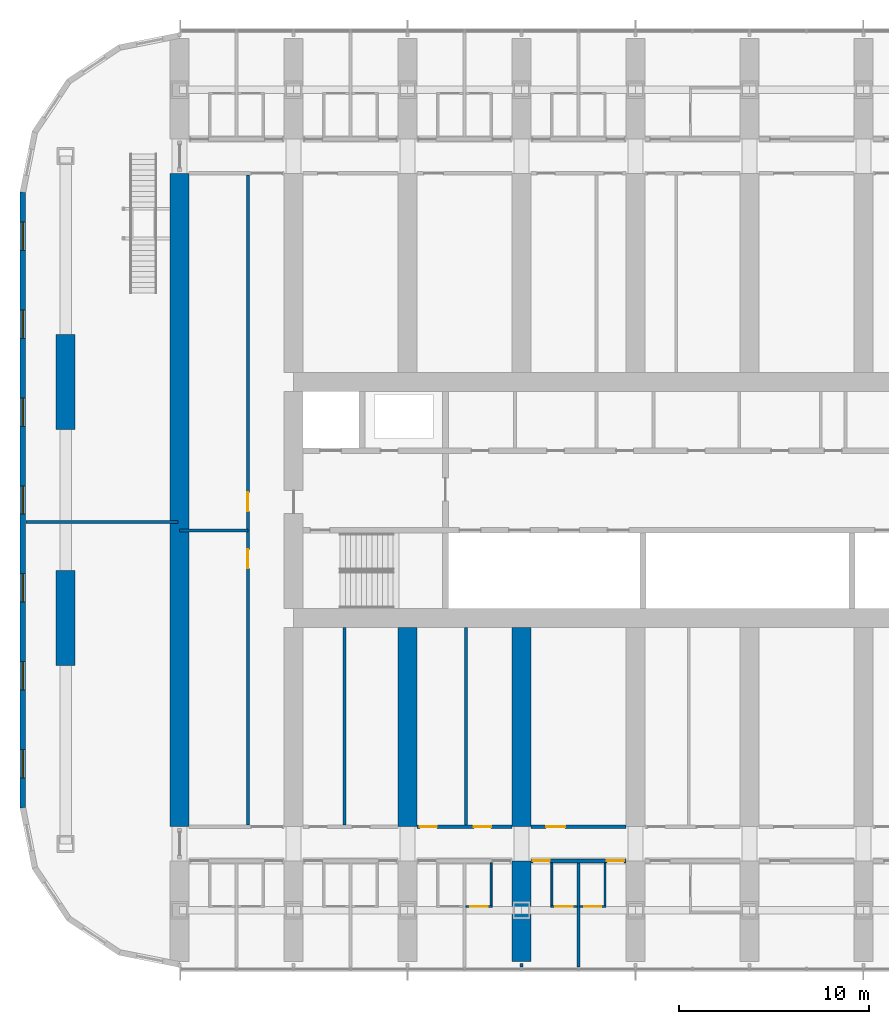
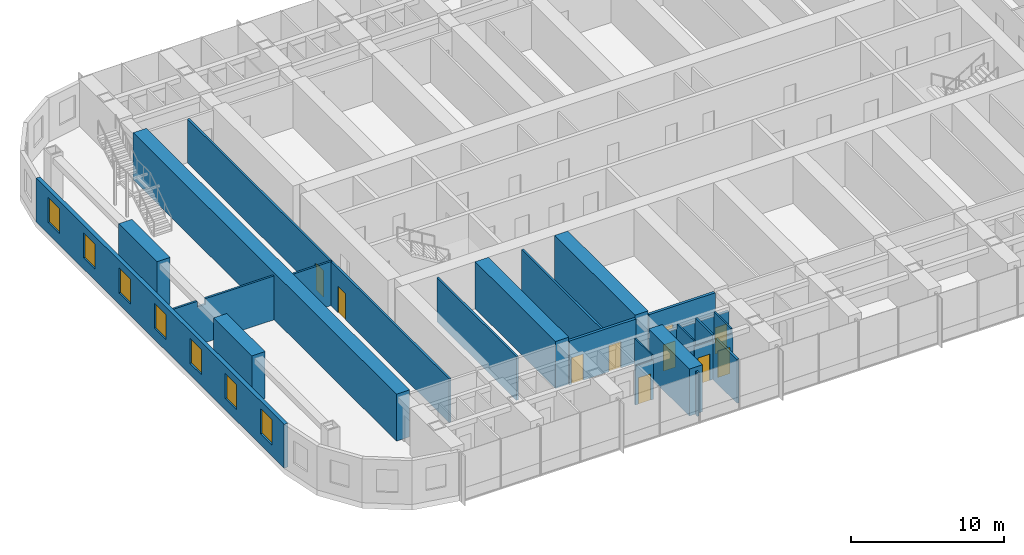
# One storey, part 13 of 28: 23 walls, 10 doors, 7 windows, 17 openings.
"""IFC4 building model written with IfcOpenShell, lengths in metres."""

from ifc_helpers import new_model, si_unit, direction, frame, frame_2d, origin, place, context, subcontext, project, spatial, polyline, rectangle, outline, extrude, material, layer, layer_set, type_object, element, fill, save


model = new_model("IFC4")

# Units and contexts
model_context = context("Model", 3, precision=1e-05, world=origin(), true_north=direction((0.0, 1.0)))
body_context = subcontext(model_context, "Body", "Model", "MODEL_VIEW")
ifc_project = project(units=[si_unit("LENGTHUNIT", "METRE"), si_unit("AREAUNIT", "SQUARE_METRE"), si_unit("VOLUMEUNIT", "CUBIC_METRE"), si_unit("PLANEANGLEUNIT", "RADIAN"), si_unit("MASSUNIT", "GRAM", prefix="KILO")], contexts=[model_context])

# Site, building, storey
site_placement = place(None, origin())
site = spatial("IfcSite", under=ifc_project, at=site_placement, CompositionType="ELEMENT")
building_placement = place(site_placement, origin())
building = spatial("IfcBuilding", under=site, at=building_placement, Name="Orbita Commons", CompositionType="ELEMENT")
storey_placement = place(building_placement, frame((0.0, 0.0, 38.949951171875)))
storey = spatial("IfcBuildingStorey", under=building, at=storey_placement, Name="L09", CompositionType="ELEMENT", Elevation=38.949951171875)

# Wall, openings, doors
ifc_material_1 = material(Name="Concrete blockwork", Category="masonry")
ifc_layer_1 = layer(ifc_material_1, 0.199951171875)
ifc_layer_set_1 = layer_set([ifc_layer_1], Name="Concrete blockwork")
wall_type_1 = type_object("IfcWallType", Name="Corridor wall 200 blockwork", PredefinedType="SOLIDWALL", material=ifc_layer_set_1)
wall_1_placement = place(storey_placement, frame((30.5, 13.0, 0.0), z_axis=(0.0, 0.0, 1.0), x_axis=(1.0, 0.0, 0.0)))
wall_1 = element("IfcWall", 1, at=wall_1_placement, inside=storey, type_object=wall_type_1, Name="Corridor wall 200 blockwork L09", PredefinedType="SOLIDWALL", context=body_context, shape_type="SweptSolid", body=[
    extrude(outline(polyline([(0.0, 0.0), (5.0, 0.0), (5.0, 3.10009765625), (0.0, 3.10009765625), (0.0, 0.0)])), frame((0.0, 0.10009765625, 0.0), z_axis=(0.0, -1.0, 0.0), x_axis=(1.0, 0.0, 0.0)), (0.0, 0.0, 1.0), 0.199951171875),
])
opening_1_placement = place(wall_1_placement, frame((0.10009765625, 0.0, 0.0)))
opening_1 = element("IfcOpeningElement", 2, at=opening_1_placement, cuts=wall_1, Name="Opening D11", PredefinedType="OPENING", context=body_context, shape_type="SweptSolid", body=[
    extrude(rectangle(XDim=0.89990234375, YDim=2.10009765625, at=frame_2d((0.449951171875, 1.050048828125))), frame((0.0, 0.10986328125, 0.0), z_axis=(0.0, -1.0, 0.0), x_axis=(1.0, 0.0, 0.0)), (0.0, 0.0, 1.0), 0.219970703125),
])
opening_2_placement = place(wall_1_placement, frame((4.0, 0.0, 0.0)))
opening_2 = element("IfcOpeningElement", 3, at=opening_2_placement, cuts=wall_1, Name="Opening D11", PredefinedType="OPENING", context=body_context, shape_type="SweptSolid", body=[
    extrude(rectangle(XDim=0.89990234375, YDim=2.10009765625, at=frame_2d((0.449951171875, 1.050048828125))), frame((0.0, 0.10986328125, 0.0), z_axis=(0.0, -1.0, 0.0), x_axis=(1.0, 0.0, 0.0)), (0.0, 0.0, 1.0), 0.219970703125),
])
ifc_material_2 = material(Name="Steel-faced fire door leaf", Category="steel")
door_type_1 = type_object("IfcDoorType", Name="Corridor door 20 min 900x2100", OperationType="SINGLE_SWING_LEFT", PredefinedType="DOOR", material=ifc_material_2)
door_1_placement = place(opening_1_placement, origin())
door_1 = element("IfcDoor", 4, at=door_1_placement, inside=storey, type_object=door_type_1, Name="House bedroom L09-S06 door", OperationType="SINGLE_SWING_LEFT", OverallHeight=2.10009765625, OverallWidth=0.89990234375, PredefinedType="DOOR", context=body_context, shape_type="SweptSolid", body=[
    extrude(rectangle(XDim=0.89990234375, YDim=2.10009765625, at=frame_2d((0.449951171875, 1.050048828125))), frame((0.0, 0.02490234375, 0.0), z_axis=(0.0, -1.0, 0.0), x_axis=(1.0, 0.0, 0.0)), (0.0, 0.0, 1.0), 0.050048828125),
])
fill(opening_1, door_1)
door_2_placement = place(opening_2_placement, origin())
door_2 = element("IfcDoor", 5, at=door_2_placement, inside=storey, type_object=door_type_1, Name="House bedroom L09-S07 door", OperationType="SINGLE_SWING_LEFT", OverallHeight=2.10009765625, OverallWidth=0.89990234375, PredefinedType="DOOR", context=body_context, shape_type="SweptSolid", body=[
    extrude(rectangle(XDim=0.89990234375, YDim=2.10009765625, at=frame_2d((0.449951171875, 1.050048828125))), frame((0.0, 0.02490234375, 0.0), z_axis=(0.0, -1.0, 0.0), x_axis=(1.0, 0.0, 0.0)), (0.0, 0.0, 1.0), 0.050048828125),
])
fill(opening_2, door_2)

ifc_material_3 = material(Name="Hollow concrete block 200", Category="concrete")
ifc_layer_2 = layer(ifc_material_3, 0.199951171875)
ifc_layer_set_2 = layer_set([ifc_layer_2], Name="Hollow concrete block 200")
wall_type_2 = type_object("IfcWallType", Name="Corridor wall 200 hollow concrete block", PredefinedType="SOLIDWALL", material=ifc_layer_set_2)
wall_2_placement = place(storey_placement, frame((24.5, 14.800048828125, 0.0), z_axis=(0.0, 0.0, 1.0), x_axis=(1.0, 0.0, 0.0)))
wall_2 = element("IfcWall", 6, at=wall_2_placement, inside=storey, type_object=wall_type_2, Name="Corridor wall 200 hollow concrete block L09", PredefinedType="SOLIDWALL", context=body_context, shape_type="SweptSolid", body=[
    extrude(rectangle(XDim=5.0, YDim=0.199951171875, at=frame_2d((2.5, 0.0))), origin(), (0.0, 0.0, 1.0), 3.5),
])
opening_3_placement = place(wall_2_placement, frame((0.14990234375, 0.0, 0.0)))
opening_3 = element("IfcOpeningElement", 7, at=opening_3_placement, cuts=wall_2, Name="Opening D11", PredefinedType="OPENING", context=body_context, shape_type="SweptSolid", body=[
    extrude(rectangle(XDim=0.89990234375, YDim=2.10009765625, at=frame_2d((0.449951171875, 1.050048828125))), frame((0.0, 0.10986328125, 0.0), z_axis=(0.0, -1.0, 0.0), x_axis=(1.0, 0.0, 0.0)), (0.0, 0.0, 1.0), 0.219970703125),
])
opening_4_placement = place(wall_2_placement, frame((3.0, 0.0, 0.0)))
opening_4 = element("IfcOpeningElement", 8, at=opening_4_placement, cuts=wall_2, Name="Opening D11", PredefinedType="OPENING", context=body_context, shape_type="SweptSolid", body=[
    extrude(rectangle(XDim=0.89990234375, YDim=2.10009765625, at=frame_2d((0.449951171875, 1.050048828125))), frame((0.0, 0.10986328125, 0.0), z_axis=(0.0, -1.0, 0.0), x_axis=(1.0, 0.0, 0.0)), (0.0, 0.0, 1.0), 0.219970703125),
])
door_3_placement = place(opening_3_placement, origin())
door_3 = element("IfcDoor", 9, at=door_3_placement, inside=storey, type_object=door_type_1, Name="Equipment store L09-BDS24n door", OperationType="SINGLE_SWING_LEFT", OverallHeight=2.10009765625, OverallWidth=0.89990234375, PredefinedType="DOOR", context=body_context, shape_type="SweptSolid", body=[
    extrude(rectangle(XDim=0.89990234375, YDim=2.10009765625, at=frame_2d((0.449951171875, 1.050048828125))), frame((0.0, 0.02490234375, 0.0), z_axis=(0.0, -1.0, 0.0), x_axis=(1.0, 0.0, 0.0)), (0.0, 0.0, 1.0), 0.050048828125),
])
fill(opening_3, door_3)
door_4_placement = place(opening_4_placement, origin())
door_4 = element("IfcDoor", 10, at=door_4_placement, inside=storey, type_object=door_type_1, Name="Fitness room L09-BDS24 door", OperationType="SINGLE_SWING_LEFT", OverallHeight=2.10009765625, OverallWidth=0.89990234375, PredefinedType="DOOR", context=body_context, shape_type="SweptSolid", body=[
    extrude(rectangle(XDim=0.89990234375, YDim=2.10009765625, at=frame_2d((0.449951171875, 1.050048828125))), frame((0.0, 0.02490234375, 0.0), z_axis=(0.0, -1.0, 0.0), x_axis=(1.0, 0.0, 0.0)), (0.0, 0.0, 1.0), 0.050048828125),
])
fill(opening_4, door_4)

# Wall, opening, door
wall_3_placement = place(storey_placement, frame((30.5, 14.800048828125, 0.0), z_axis=(0.0, 0.0, 1.0), x_axis=(1.0, 0.0, 0.0)))
wall_3 = element("IfcWall", 11, at=wall_3_placement, inside=storey, type_object=wall_type_2, Name="Corridor wall 200 hollow concrete block L09", PredefinedType="SOLIDWALL", context=body_context, shape_type="SweptSolid", body=[
    extrude(rectangle(XDim=5.0, YDim=0.199951171875, at=frame_2d((2.5, 0.0))), origin(), (0.0, 0.0, 1.0), 3.5),
])
opening_5_placement = place(wall_3_placement, frame((0.800048828125, 0.0, 0.0)))
opening_5 = element("IfcOpeningElement", 12, at=opening_5_placement, cuts=wall_3, Name="Opening D06", PredefinedType="OPENING", context=body_context, shape_type="SweptSolid", body=[
    extrude(rectangle(XDim=1.0, YDim=2.10009765625, at=frame_2d((0.5, 1.050048828125))), frame((0.0, 0.10986328125, 0.0), z_axis=(0.0, -1.0, 0.0), x_axis=(1.0, 0.0, 0.0)), (0.0, 0.0, 1.0), 0.219970703125),
])
ifc_material_4 = material(Name="Steel-faced fire door leaf", Category="steel")
door_type_2 = type_object("IfcDoorType", Name="Corridor door 20 min 1000x2100", OperationType="SINGLE_SWING_LEFT", PredefinedType="DOOR", material=ifc_material_4)
door_5_placement = place(opening_5_placement, origin())
door_5 = element("IfcDoor", 13, at=door_5_placement, inside=storey, type_object=door_type_2, Name="IT and print room L09-BDS30 door", OperationType="SINGLE_SWING_LEFT", OverallHeight=2.10009765625, OverallWidth=1.0, PredefinedType="DOOR", context=body_context, shape_type="SweptSolid", body=[
    extrude(rectangle(XDim=1.0, YDim=2.10009765625, at=frame_2d((0.5, 1.050048828125))), frame((0.0, 0.02490234375, 0.0), z_axis=(0.0, -1.0, 0.0), x_axis=(1.0, 0.0, 0.0)), (0.0, 0.0, 1.0), 0.050048828125),
])
fill(opening_5, door_5)

# Walls
ifc_material_5 = material(Name="Concrete C50/60", Category="concrete")
ifc_layer_3 = layer(ifc_material_5, 1.0)
ifc_layer_set_3 = layer_set([ifc_layer_3], Name="Concrete C50/60")
wall_type_3 = type_object("IfcWallType", Name="Cross wall 1000 C50/60", PredefinedType="SHEAR", material=ifc_layer_set_3)
wall_4_placement = place(storey_placement, frame((12.0, 14.800048828125, 0.0), z_axis=(0.0, 0.0, 1.0), x_axis=(0.0, 1.0, 0.0)))
element("IfcWall", 14, at=wall_4_placement, inside=storey, type_object=wall_type_3, Name="Cross wall 3 inner L09", PredefinedType="SHEAR", context=body_context, shape_type="SweptSolid", body=[
    extrude(rectangle(XDim=34.39990234375, YDim=1.0, at=frame_2d((17.199951171875, 0.0))), origin(), (0.0, 0.0, 1.0), 3.75),
])
wall_5_placement = place(storey_placement, frame((24.0, 14.800048828125, 0.0), z_axis=(0.0, 0.0, 1.0), x_axis=(0.0, 1.0, 0.0)))
element("IfcWall", 15, at=wall_5_placement, inside=storey, type_object=wall_type_3, Name="Cross wall 5 south inner L09", PredefinedType="SHEAR", context=body_context, shape_type="SweptSolid", body=[
    extrude(rectangle(XDim=10.5, YDim=1.0, at=frame_2d((5.25, 0.0))), origin(), (0.0, 0.0, 1.0), 3.75),
])
wall_6_placement = place(storey_placement, frame((30.0, 7.699951171875, 0.0), z_axis=(0.0, 0.0, 1.0), x_axis=(0.0, 1.0, 0.0)))
element("IfcWall", 16, at=wall_6_placement, inside=storey, type_object=wall_type_3, Name="Cross wall 6 south outer L09", PredefinedType="SHEAR", context=body_context, shape_type="SweptSolid", body=[
    extrude(rectangle(XDim=5.300048828125, YDim=1.0, at=frame_2d((2.64990234375, 0.0))), origin(), (0.0, 0.0, 1.0), 3.75),
])
wall_7_placement = place(storey_placement, frame((30.0, 14.800048828125, 0.0), z_axis=(0.0, 0.0, 1.0), x_axis=(0.0, 1.0, 0.0)))
element("IfcWall", 17, at=wall_7_placement, inside=storey, type_object=wall_type_3, Name="Cross wall 6 south inner L09", PredefinedType="SHEAR", context=body_context, shape_type="SweptSolid", body=[
    extrude(rectangle(XDim=10.5, YDim=1.0, at=frame_2d((5.25, 0.0))), origin(), (0.0, 0.0, 1.0), 3.75),
])

# Wall, opening, door
ifc_material_6 = material(Name="Moisture-resistant plasterboard on steel studs", Category="steel")
ifc_layer_4 = layer(ifc_material_6, 0.10009765625)
ifc_layer_set_4 = layer_set([ifc_layer_4], Name="Moisture-resistant plasterboard on steel studs")
wall_type_4 = type_object("IfcWallType", Name="En-suite partition 100", PredefinedType="PARTITIONING", material=ifc_layer_set_4)
wall_8_placement = place(storey_placement, frame((28.449951171875, 10.59814453125, 0.0), z_axis=(0.0, 0.0, 1.0), x_axis=(-1.0, 0.0, 0.0)))
wall_8 = element("IfcWall", 18, at=wall_8_placement, inside=storey, type_object=wall_type_4, Name="En-suite partition 100 L09", PredefinedType="PARTITIONING", context=body_context, shape_type="SweptSolid", body=[
    extrude(outline(polyline([(0.0, 0.0), (1.375, 0.0), (1.375, 3.10009765625), (0.0, 3.10009765625), (0.0, 0.0)])), frame((0.0, 0.050048828125, 0.0), z_axis=(0.0, -1.0, 0.0), x_axis=(1.0, 0.0, 0.0)), (0.0, 0.0, 1.0), 0.10009765625),
])
opening_6_placement = place(wall_8_placement, frame((0.237548828125, 0.0, 0.0)))
opening_6 = element("IfcOpeningElement", 19, at=opening_6_placement, cuts=wall_8, Name="Opening D09", PredefinedType="OPENING", context=body_context, shape_type="SweptSolid", body=[
    extrude(rectangle(XDim=0.89990234375, YDim=2.10009765625, at=frame_2d((0.449951171875, 1.050048828125))), frame((0.0, 0.06005859375, 0.0), z_axis=(0.0, -1.0, 0.0), x_axis=(1.0, 0.0, 0.0)), (0.0, 0.0, 1.0), 0.1201171875),
])
ifc_material_7 = material(Name="Laminated timber door leaf", Category="wood")
door_type_3 = type_object("IfcDoorType", Name="En-suite door 900x2100", OperationType="SINGLE_SWING_RIGHT", PredefinedType="DOOR", material=ifc_material_7)
door_6_placement = place(opening_6_placement, origin())
door_6 = element("IfcDoor", 20, at=door_6_placement, inside=storey, type_object=door_type_3, Name="En-suite L09-S05 door", OperationType="SINGLE_SWING_RIGHT", OverallHeight=2.10009765625, OverallWidth=0.89990234375, PredefinedType="DOOR", context=body_context, shape_type="SweptSolid", body=[
    extrude(rectangle(XDim=0.89990234375, YDim=2.10009765625, at=frame_2d((0.449951171875, 1.050048828125))), frame((0.0, 0.02490234375, 0.0), z_axis=(0.0, -1.0, 0.0), x_axis=(1.0, 0.0, 0.0)), (0.0, 0.0, 1.0), 0.050048828125),
])
fill(opening_6, door_6)

# Wall
wall_9_placement = place(storey_placement, frame((28.39990234375, 10.648193359375, 0.0), z_axis=(0.0, 0.0, 1.0), x_axis=(0.0, 1.0, 0.0)))
element("IfcWall", 21, at=wall_9_placement, inside=storey, type_object=wall_type_4, Name="En-suite partition 100 L09", PredefinedType="PARTITIONING", context=body_context, shape_type="SweptSolid", body=[
    extrude(outline(polyline([(0.0, 0.0), (2.251708984375, 0.0), (2.251953125, 3.10009765625), (2.203857421875, 3.10009765625), (2.201904296875, 3.5), (0.0, 3.5), (0.0, 0.0)])), frame((0.0, 0.050048828125, 0.0), z_axis=(0.0, -1.0, 0.0), x_axis=(1.0, 0.0, 0.0)), (0.0, 0.0, 1.0), 0.10009765625),
])

# Wall, opening, door
wall_10_placement = place(storey_placement, frame((32.925048828125, 10.59814453125, 0.0), z_axis=(0.0, 0.0, 1.0), x_axis=(-1.0, 0.0, 0.0)))
wall_10 = element("IfcWall", 22, at=wall_10_placement, inside=storey, type_object=wall_type_4, Name="En-suite partition 100 L09", PredefinedType="PARTITIONING", context=body_context, shape_type="SweptSolid", body=[
    extrude(outline(polyline([(0.0, 0.0), (1.375, 0.0), (1.375, 3.10009765625), (0.0, 3.10009765625), (0.0, 0.0)])), frame((0.0, 0.050048828125, 0.0), z_axis=(0.0, -1.0, 0.0), x_axis=(1.0, 0.0, 0.0)), (0.0, 0.0, 1.0), 0.10009765625),
])
opening_7_placement = place(wall_10_placement, frame((0.237548828125, 0.0, 0.0)))
opening_7 = element("IfcOpeningElement", 23, at=opening_7_placement, cuts=wall_10, Name="Opening D09", PredefinedType="OPENING", context=body_context, shape_type="SweptSolid", body=[
    extrude(rectangle(XDim=0.89990234375, YDim=2.10009765625, at=frame_2d((0.449951171875, 1.050048828125))), frame((0.0, 0.06005859375, 0.0), z_axis=(0.0, -1.0, 0.0), x_axis=(1.0, 0.0, 0.0)), (0.0, 0.0, 1.0), 0.1201171875),
])
door_7_placement = place(opening_7_placement, origin())
door_7 = element("IfcDoor", 24, at=door_7_placement, inside=storey, type_object=door_type_3, Name="En-suite L09-S06 door", OperationType="SINGLE_SWING_RIGHT", OverallHeight=2.10009765625, OverallWidth=0.89990234375, PredefinedType="DOOR", context=body_context, shape_type="SweptSolid", body=[
    extrude(rectangle(XDim=0.89990234375, YDim=2.10009765625, at=frame_2d((0.449951171875, 1.050048828125))), frame((0.0, 0.02490234375, 0.0), z_axis=(0.0, -1.0, 0.0), x_axis=(1.0, 0.0, 0.0)), (0.0, 0.0, 1.0), 0.050048828125),
])
fill(opening_7, door_7)

# Wall
wall_11_placement = place(storey_placement, frame((31.60009765625, 10.648193359375, 0.0), z_axis=(0.0, 0.0, 1.0), x_axis=(0.0, 1.0, 0.0)))
element("IfcWall", 25, at=wall_11_placement, inside=storey, type_object=wall_type_4, Name="En-suite partition 100 L09", PredefinedType="PARTITIONING", context=body_context, shape_type="SweptSolid", body=[
    extrude(outline(polyline([(0.0, 0.0), (2.251708984375, 0.0), (2.251953125, 3.10009765625), (2.203857421875, 3.10009765625), (2.201904296875, 3.5), (0.0, 3.5), (0.0, 0.0)])), frame((0.0, 0.050048828125, 0.0), z_axis=(0.0, -1.0, 0.0), x_axis=(1.0, 0.0, 0.0)), (0.0, 0.0, 1.0), 0.10009765625),
])

# Wall, opening, door
wall_12_placement = place(storey_placement, frame((34.449951171875, 10.59814453125, 0.0), z_axis=(0.0, 0.0, 1.0), x_axis=(-1.0, 0.0, 0.0)))
wall_12 = element("IfcWall", 26, at=wall_12_placement, inside=storey, type_object=wall_type_4, Name="En-suite partition 100 L09", PredefinedType="PARTITIONING", context=body_context, shape_type="SweptSolid", body=[
    extrude(outline(polyline([(0.0, 0.0), (1.375, 0.0), (1.375, 3.10009765625), (0.0, 3.10009765625), (0.0, 0.0)])), frame((0.0, 0.050048828125, 0.0), z_axis=(0.0, -1.0, 0.0), x_axis=(1.0, 0.0, 0.0)), (0.0, 0.0, 1.0), 0.10009765625),
])
opening_8_placement = place(wall_12_placement, frame((0.237548828125, 0.0, 0.0)))
opening_8 = element("IfcOpeningElement", 27, at=opening_8_placement, cuts=wall_12, Name="Opening D09", PredefinedType="OPENING", context=body_context, shape_type="SweptSolid", body=[
    extrude(rectangle(XDim=0.89990234375, YDim=2.10009765625, at=frame_2d((0.449951171875, 1.050048828125))), frame((0.0, 0.06005859375, 0.0), z_axis=(0.0, -1.0, 0.0), x_axis=(1.0, 0.0, 0.0)), (0.0, 0.0, 1.0), 0.1201171875),
])
door_8_placement = place(opening_8_placement, origin())
door_8 = element("IfcDoor", 28, at=door_8_placement, inside=storey, type_object=door_type_3, Name="En-suite L09-S07 door", OperationType="SINGLE_SWING_RIGHT", OverallHeight=2.10009765625, OverallWidth=0.89990234375, PredefinedType="DOOR", context=body_context, shape_type="SweptSolid", body=[
    extrude(rectangle(XDim=0.89990234375, YDim=2.10009765625, at=frame_2d((0.449951171875, 1.050048828125))), frame((0.0, 0.02490234375, 0.0), z_axis=(0.0, -1.0, 0.0), x_axis=(1.0, 0.0, 0.0)), (0.0, 0.0, 1.0), 0.050048828125),
])
fill(opening_8, door_8)

# Walls
wall_13_placement = place(storey_placement, frame((34.39990234375, 10.648193359375, 0.0), z_axis=(0.0, 0.0, 1.0), x_axis=(0.0, 1.0, 0.0)))
element("IfcWall", 29, at=wall_13_placement, inside=storey, type_object=wall_type_4, Name="En-suite partition 100 L09", PredefinedType="PARTITIONING", context=body_context, shape_type="SweptSolid", body=[
    extrude(outline(polyline([(0.0, 0.0), (2.251708984375, 0.0), (2.251953125, 3.10009765625), (2.203857421875, 3.10009765625), (2.201904296875, 3.5), (0.0, 3.5), (0.0, 0.0)])), frame((0.0, 0.050048828125, 0.0), z_axis=(0.0, -1.0, 0.0), x_axis=(1.0, 0.0, 0.0)), (0.0, 0.0, 1.0), 0.10009765625),
])
ifc_material_8 = material(Name="Concrete C50/60", Category="concrete")
ifc_layer_5 = layer(ifc_material_8, 1.0)
ifc_layer_set_5 = layer_set([ifc_layer_5], Name="Concrete C50/60")
wall_type_5 = type_object("IfcWallType", Name="End pier 1000x5000 C50/60", PredefinedType="SHEAR", material=ifc_layer_set_5)
for number, where, z_axis, x_axis, name in (
    (30, (6.0, 23.300048828125, 0.0), (0.0, 0.0, 1.0), (0.0, 1.0, 0.0), "End pier 2/C L09"),
    (31, (6.0, 35.699951171875, 0.0), (0.0, 0.0, 1.0), (0.0, 1.0, 0.0), "End pier 2/D L09"),
):
    element("IfcWall", number, at=place(storey_placement, frame(where, z_axis=z_axis, x_axis=x_axis)), inside=storey, type_object=wall_type_5, Name=name, PredefinedType="SHEAR", context=body_context, shape_type="SweptSolid", body=[
        extrude(rectangle(XDim=5.0, YDim=1.0, at=frame_2d((2.5, 0.0))), origin(), (0.0, 0.0, 1.0), 3.75),
    ])
ifc_material_9 = material(Name="Gypsum plasterboard on steel studs", Category="steel")
ifc_layer_6 = layer(ifc_material_9, 0.14990234375)
ifc_layer_set_6 = layer_set([ifc_layer_6], Name="Gypsum plasterboard on steel studs")
wall_type_6 = type_object("IfcWallType", Name="Partition 150 plasterboard", PredefinedType="PARTITIONING", material=ifc_layer_set_6)
for number, where, z_axis, x_axis, name in (
    (32, (20.679931640625, 14.89990234375, 0.0), (0.0, 0.0, 1.0), (0.0, 1.0, 0.0), "Partition 150 plasterboard L09"),
    (33, (27.074951171875, 14.89990234375, 0.0), (0.0, 0.0, 1.0), (0.0, 1.0, 0.0), "Partition 150 plasterboard L09"),
):
    element("IfcWall", number, at=place(storey_placement, frame(where, z_axis=z_axis, x_axis=x_axis)), inside=storey, type_object=wall_type_6, Name=name, PredefinedType="PARTITIONING", context=body_context, shape_type="SweptSolid", body=[
        extrude(rectangle(XDim=10.400146484375, YDim=0.14990234375, at=frame_2d((5.2001953125, 0.0))), origin(), (0.0, 0.0, 1.0), 3.5),
    ])

# Wall, openings, doors
wall_14_placement = place(storey_placement, frame((15.60009765625, 14.89990234375, 0.0), z_axis=(0.0, 0.0, 1.0), x_axis=(0.0, 1.0, 0.0)))
wall_14 = element("IfcWall", 34, at=wall_14_placement, inside=storey, type_object=wall_type_6, Name="Partition 150 plasterboard L09", PredefinedType="PARTITIONING", context=body_context, shape_type="SweptSolid", body=[
    extrude(rectangle(XDim=34.2001953125, YDim=0.14990234375, at=frame_2d((17.10009765625, 0.0))), origin(), (0.0, 0.0, 1.0), 3.5),
])
opening_9_placement = place(wall_14_placement, frame((13.5, 0.0, 0.0)))
opening_9 = element("IfcOpeningElement", 35, at=opening_9_placement, cuts=wall_14, Name="Opening D06", PredefinedType="OPENING", context=body_context, shape_type="SweptSolid", body=[
    extrude(rectangle(XDim=1.0, YDim=2.10009765625, at=frame_2d((0.5, 1.050048828125))), frame((0.0, 0.0849609375, 0.0), z_axis=(0.0, -1.0, 0.0), x_axis=(1.0, 0.0, 0.0)), (0.0, 0.0, 1.0), 0.169921875),
])
opening_10_placement = place(wall_14_placement, frame((16.5, 0.0, 0.0)))
opening_10 = element("IfcOpeningElement", 36, at=opening_10_placement, cuts=wall_14, Name="Opening D06", PredefinedType="OPENING", context=body_context, shape_type="SweptSolid", body=[
    extrude(rectangle(XDim=1.0, YDim=2.10009765625, at=frame_2d((0.5, 1.050048828125))), frame((0.0, 0.0849609375, 0.0), z_axis=(0.0, -1.0, 0.0), x_axis=(1.0, 0.0, 0.0)), (0.0, 0.0, 1.0), 0.169921875),
])
door_9_placement = place(opening_9_placement, origin())
door_9 = element("IfcDoor", 37, at=door_9_placement, inside=storey, type_object=door_type_2, Name="Quiet room door", OperationType="SINGLE_SWING_LEFT", OverallHeight=2.10009765625, OverallWidth=1.0, PredefinedType="DOOR", context=body_context, shape_type="SweptSolid", body=[
    extrude(rectangle(XDim=1.0, YDim=2.10009765625, at=frame_2d((0.5, 1.050048828125))), frame((0.0, 0.02490234375, 0.0), z_axis=(0.0, -1.0, 0.0), x_axis=(1.0, 0.0, 0.0)), (0.0, 0.0, 1.0), 0.050048828125),
])
fill(opening_9, door_9)
door_10_placement = place(opening_10_placement, origin())
door_10 = element("IfcDoor", 38, at=door_10_placement, inside=storey, type_object=door_type_2, Name="Prayer room door", OperationType="SINGLE_SWING_LEFT", OverallHeight=2.10009765625, OverallWidth=1.0, PredefinedType="DOOR", context=body_context, shape_type="SweptSolid", body=[
    extrude(rectangle(XDim=1.0, YDim=2.10009765625, at=frame_2d((0.5, 1.050048828125))), frame((0.0, 0.02490234375, 0.0), z_axis=(0.0, -1.0, 0.0), x_axis=(1.0, 0.0, 0.0)), (0.0, 0.0, 1.0), 0.050048828125),
])
fill(opening_10, door_10)

# Walls
wall_15_placement = place(storey_placement, frame((12.0, 30.39990234375, 0.0), z_axis=(0.0, 0.0, 1.0), x_axis=(1.0, 0.0, 0.0)))
element("IfcWall", 39, at=wall_15_placement, inside=storey, type_object=wall_type_6, Name="Partition 150 plasterboard L09", PredefinedType="PARTITIONING", context=body_context, shape_type="SweptSolid", body=[
    extrude(rectangle(XDim=3.60009765625, YDim=0.14990234375, at=frame_2d((1.800048828125, 0.0))), origin(), (0.0, 0.0, 1.0), 3.5),
])
wall_16_placement = place(storey_placement, frame((3.905029296875, 30.85009765625, 0.0), z_axis=(0.0, 0.0, 1.0), x_axis=(1.0, 0.0, 0.0)))
element("IfcWall", 40, at=wall_16_placement, inside=storey, type_object=wall_type_6, Name="Partition 150 plasterboard L09", PredefinedType="PARTITIONING", context=body_context, shape_type="SweptSolid", body=[
    extrude(outline(polyline([(0.0, 0.0), (8.02001953125, 0.0), (8.02001953125, 3.5), (2.39697265625, 3.5), (2.39501953125, 3.050048828125), (1.797119140625, 3.050048828125), (1.794921875, 3.5), (0.0, 3.5), (0.0, 0.0)])), frame((0.0, 0.074951171875, 0.0), z_axis=(0.0, -1.0, 0.0), x_axis=(1.0, 0.0, 0.0)), (0.0, 0.0, 1.0), 0.14990234375),
])
wall_17_placement = place(storey_placement, frame((30.0, 7.60009765625, 0.0), z_axis=(0.0, 0.0, 1.0), x_axis=(0.0, -1.0, 0.0)))
element("IfcWall", 41, at=wall_17_placement, inside=storey, type_object=wall_type_6, Name="Partition 150 plasterboard L09", PredefinedType="PARTITIONING", context=body_context, shape_type="SweptSolid", body=[
    extrude(rectangle(XDim=0.190185546875, YDim=0.14990234375, at=frame_2d((0.09521484375, 0.0))), origin(), (0.0, 0.0, 1.0), 3.5),
])
ifc_material_10 = material(Name="Gypsum plasterboard on steel studs", Category="steel")
ifc_layer_7 = layer(ifc_material_10, 0.14990234375)
ifc_layer_set_7 = layer_set([ifc_layer_7], Name="Gypsum plasterboard on steel studs")
wall_type_7 = type_object("IfcWallType", Name="Party wall 150 plasterboard", PredefinedType="PARTITIONING", material=ifc_layer_set_7)
wall_18_placement = place(storey_placement, frame((33.0, 7.409912109375, 0.0), z_axis=(0.0, 0.0, 1.0), x_axis=(0.0, 1.0, 0.0)))
element("IfcWall", 42, at=wall_18_placement, inside=storey, type_object=wall_type_7, Name="Party wall 150 plasterboard L09", PredefinedType="PARTITIONING", context=body_context, shape_type="SweptSolid", body=[
    extrude(outline(polyline([(0.0, 0.0), (5.489990234375, 0.0), (5.489990234375, 3.10009765625), (5.44189453125, 3.10009765625), (5.43994140625, 3.5), (3.19189453125, 3.5), (3.18994140625, 3.10009765625), (2.7919921875, 3.10009765625), (2.7900390625, 3.5), (0.0, 3.5), (0.0, 0.0)])), frame((0.0, 0.074951171875, 0.0), z_axis=(0.0, -1.0, 0.0), x_axis=(1.0, 0.0, 0.0)), (0.0, 0.0, 1.0), 0.14990234375),
])

# Wall, openings, windows
ifc_material_11 = material(Name="Precast concrete C40/50, white board-marked finish", Category="concrete")
ifc_layer_8 = layer(ifc_material_11, 0.300048828125)
ifc_layer_set_8 = layer_set([ifc_layer_8], Name="Precast concrete C40/50, white board-marked finish")
wall_type_8 = type_object("IfcWallType", Name="Precast concrete end shield 300", PredefinedType="SOLIDWALL", material=ifc_layer_set_8)
wall_19_placement = place(storey_placement, frame((3.75, 48.199951171875, 0.0), z_axis=(0.0, 0.0, 1.0), x_axis=(0.0, -1.0, 0.0)))
wall_19 = element("IfcWall", 43, at=wall_19_placement, inside=storey, type_object=wall_type_8, Name="End shield W L09", PredefinedType="SOLIDWALL", context=body_context, shape_type="SweptSolid", body=[
    extrude(outline(polyline([(-0.014892578125, -0.14990234375), (32.414794921875, -0.14990234375), (32.385009765625, 0.14990234375), (0.014892578125, 0.14990234375), (-0.014892578125, -0.14990234375)])), origin(), (0.0, 0.0, 1.0), 3.5),
])
opening_11_placement = place(wall_19_placement, frame((1.564208984375, 0.0, 0.89990234375)))
opening_11 = element("IfcOpeningElement", 44, at=opening_11_placement, cuts=wall_19, Name="Opening W01", PredefinedType="OPENING", context=body_context, shape_type="SweptSolid", body=[
    extrude(rectangle(XDim=1.5, YDim=2.0, at=frame_2d((0.75, 1.0))), frame((0.0, 0.159912109375, 0.0), z_axis=(0.0, -1.0, 0.0), x_axis=(1.0, 0.0, 0.0)), (0.0, 0.0, 1.0), 0.320068359375),
])
opening_12_placement = place(wall_19_placement, frame((6.19287109375, 0.0, 0.89990234375)))
opening_12 = element("IfcOpeningElement", 45, at=opening_12_placement, cuts=wall_19, Name="Opening W01", PredefinedType="OPENING", context=body_context, shape_type="SweptSolid", body=[
    extrude(rectangle(XDim=1.5, YDim=2.0, at=frame_2d((0.75, 1.0))), frame((0.0, 0.159912109375, 0.0), z_axis=(0.0, -1.0, 0.0), x_axis=(1.0, 0.0, 0.0)), (0.0, 0.0, 1.0), 0.320068359375),
])
opening_13_placement = place(wall_19_placement, frame((10.821533203125, 0.0, 0.89990234375)))
opening_13 = element("IfcOpeningElement", 46, at=opening_13_placement, cuts=wall_19, Name="Opening W01", PredefinedType="OPENING", context=body_context, shape_type="SweptSolid", body=[
    extrude(rectangle(XDim=1.5, YDim=2.0, at=frame_2d((0.75, 1.0))), frame((0.0, 0.159912109375, 0.0), z_axis=(0.0, -1.0, 0.0), x_axis=(1.0, 0.0, 0.0)), (0.0, 0.0, 1.0), 0.320068359375),
])
opening_14_placement = place(wall_19_placement, frame((15.449951171875, 0.0, 0.89990234375)))
opening_14 = element("IfcOpeningElement", 47, at=opening_14_placement, cuts=wall_19, Name="Opening W01", PredefinedType="OPENING", context=body_context, shape_type="SweptSolid", body=[
    extrude(rectangle(XDim=1.5, YDim=2.0, at=frame_2d((0.75, 1.0))), frame((0.0, 0.159912109375, 0.0), z_axis=(0.0, -1.0, 0.0), x_axis=(1.0, 0.0, 0.0)), (0.0, 0.0, 1.0), 0.320068359375),
])
opening_15_placement = place(wall_19_placement, frame((20.07861328125, 0.0, 0.89990234375)))
opening_15 = element("IfcOpeningElement", 48, at=opening_15_placement, cuts=wall_19, Name="Opening W01", PredefinedType="OPENING", context=body_context, shape_type="SweptSolid", body=[
    extrude(rectangle(XDim=1.5, YDim=2.0, at=frame_2d((0.75, 1.0))), frame((0.0, 0.159912109375, 0.0), z_axis=(0.0, -1.0, 0.0), x_axis=(1.0, 0.0, 0.0)), (0.0, 0.0, 1.0), 0.320068359375),
])
opening_16_placement = place(wall_19_placement, frame((24.70703125, 0.0, 0.89990234375)))
opening_16 = element("IfcOpeningElement", 49, at=opening_16_placement, cuts=wall_19, Name="Opening W01", PredefinedType="OPENING", context=body_context, shape_type="SweptSolid", body=[
    extrude(rectangle(XDim=1.5, YDim=2.0, at=frame_2d((0.75, 1.0))), frame((0.0, 0.159912109375, 0.0), z_axis=(0.0, -1.0, 0.0), x_axis=(1.0, 0.0, 0.0)), (0.0, 0.0, 1.0), 0.320068359375),
])
opening_17_placement = place(wall_19_placement, frame((29.335693359375, 0.0, 0.89990234375)))
opening_17 = element("IfcOpeningElement", 50, at=opening_17_placement, cuts=wall_19, Name="Opening W01", PredefinedType="OPENING", context=body_context, shape_type="SweptSolid", body=[
    extrude(rectangle(XDim=1.5, YDim=2.0, at=frame_2d((0.75, 1.0))), frame((0.0, 0.159912109375, 0.0), z_axis=(0.0, -1.0, 0.0), x_axis=(1.0, 0.0, 0.0)), (0.0, 0.0, 1.0), 0.320068359375),
])
ifc_material_12 = material(Name="Aluminium frame, clear double glazing", Category="aluminium")
window_type = type_object("IfcWindowType", Name="Deep-set window 1500x2000", PartitioningType="SINGLE_PANEL", PredefinedType="WINDOW", material=ifc_material_12)
window_1_placement = place(opening_11_placement, origin())
window_1 = element("IfcWindow", 51, at=window_1_placement, inside=storey, type_object=window_type, Name="Window L09-W 1", OverallHeight=2.0, OverallWidth=1.5, PartitioningType="SINGLE_PANEL", PredefinedType="WINDOW", context=body_context, shape_type="SweptSolid", body=[
    extrude(rectangle(XDim=1.5, YDim=2.0, at=frame_2d((0.75, 1.0))), frame((0.0, 0.030029296875, 0.0), z_axis=(0.0, -1.0, 0.0), x_axis=(1.0, 0.0, 0.0)), (0.0, 0.0, 1.0), 0.06005859375),
])
fill(opening_11, window_1)
window_2_placement = place(opening_12_placement, origin())
window_2 = element("IfcWindow", 52, at=window_2_placement, inside=storey, type_object=window_type, Name="Window L09-W 2", OverallHeight=2.0, OverallWidth=1.5, PartitioningType="SINGLE_PANEL", PredefinedType="WINDOW", context=body_context, shape_type="SweptSolid", body=[
    extrude(rectangle(XDim=1.5, YDim=2.0, at=frame_2d((0.75, 1.0))), frame((0.0, 0.030029296875, 0.0), z_axis=(0.0, -1.0, 0.0), x_axis=(1.0, 0.0, 0.0)), (0.0, 0.0, 1.0), 0.06005859375),
])
fill(opening_12, window_2)
window_3_placement = place(opening_13_placement, origin())
window_3 = element("IfcWindow", 53, at=window_3_placement, inside=storey, type_object=window_type, Name="Window L09-W 3", OverallHeight=2.0, OverallWidth=1.5, PartitioningType="SINGLE_PANEL", PredefinedType="WINDOW", context=body_context, shape_type="SweptSolid", body=[
    extrude(rectangle(XDim=1.5, YDim=2.0, at=frame_2d((0.75, 1.0))), frame((0.0, 0.030029296875, 0.0), z_axis=(0.0, -1.0, 0.0), x_axis=(1.0, 0.0, 0.0)), (0.0, 0.0, 1.0), 0.06005859375),
])
fill(opening_13, window_3)
window_4_placement = place(opening_14_placement, origin())
window_4 = element("IfcWindow", 54, at=window_4_placement, inside=storey, type_object=window_type, Name="Window L09-W 4", OverallHeight=2.0, OverallWidth=1.5, PartitioningType="SINGLE_PANEL", PredefinedType="WINDOW", context=body_context, shape_type="SweptSolid", body=[
    extrude(rectangle(XDim=1.5, YDim=2.0, at=frame_2d((0.75, 1.0))), frame((0.0, 0.030029296875, 0.0), z_axis=(0.0, -1.0, 0.0), x_axis=(1.0, 0.0, 0.0)), (0.0, 0.0, 1.0), 0.06005859375),
])
fill(opening_14, window_4)
window_5_placement = place(opening_15_placement, origin())
window_5 = element("IfcWindow", 55, at=window_5_placement, inside=storey, type_object=window_type, Name="Window L09-W 5", OverallHeight=2.0, OverallWidth=1.5, PartitioningType="SINGLE_PANEL", PredefinedType="WINDOW", context=body_context, shape_type="SweptSolid", body=[
    extrude(rectangle(XDim=1.5, YDim=2.0, at=frame_2d((0.75, 1.0))), frame((0.0, 0.030029296875, 0.0), z_axis=(0.0, -1.0, 0.0), x_axis=(1.0, 0.0, 0.0)), (0.0, 0.0, 1.0), 0.06005859375),
])
fill(opening_15, window_5)
window_6_placement = place(opening_16_placement, origin())
window_6 = element("IfcWindow", 56, at=window_6_placement, inside=storey, type_object=window_type, Name="Window L09-W 6", OverallHeight=2.0, OverallWidth=1.5, PartitioningType="SINGLE_PANEL", PredefinedType="WINDOW", context=body_context, shape_type="SweptSolid", body=[
    extrude(rectangle(XDim=1.5, YDim=2.0, at=frame_2d((0.75, 1.0))), frame((0.0, 0.030029296875, 0.0), z_axis=(0.0, -1.0, 0.0), x_axis=(1.0, 0.0, 0.0)), (0.0, 0.0, 1.0), 0.06005859375),
])
fill(opening_16, window_6)
window_7_placement = place(opening_17_placement, origin())
window_7 = element("IfcWindow", 57, at=window_7_placement, inside=storey, type_object=window_type, Name="Window L09-W 7", OverallHeight=2.0, OverallWidth=1.5, PartitioningType="SINGLE_PANEL", PredefinedType="WINDOW", context=body_context, shape_type="SweptSolid", body=[
    extrude(rectangle(XDim=1.5, YDim=2.0, at=frame_2d((0.75, 1.0))), frame((0.0, 0.030029296875, 0.0), z_axis=(0.0, -1.0, 0.0), x_axis=(1.0, 0.0, 0.0)), (0.0, 0.0, 1.0), 0.06005859375),
])
fill(opening_17, window_7)

save(model, "model.ifc")
